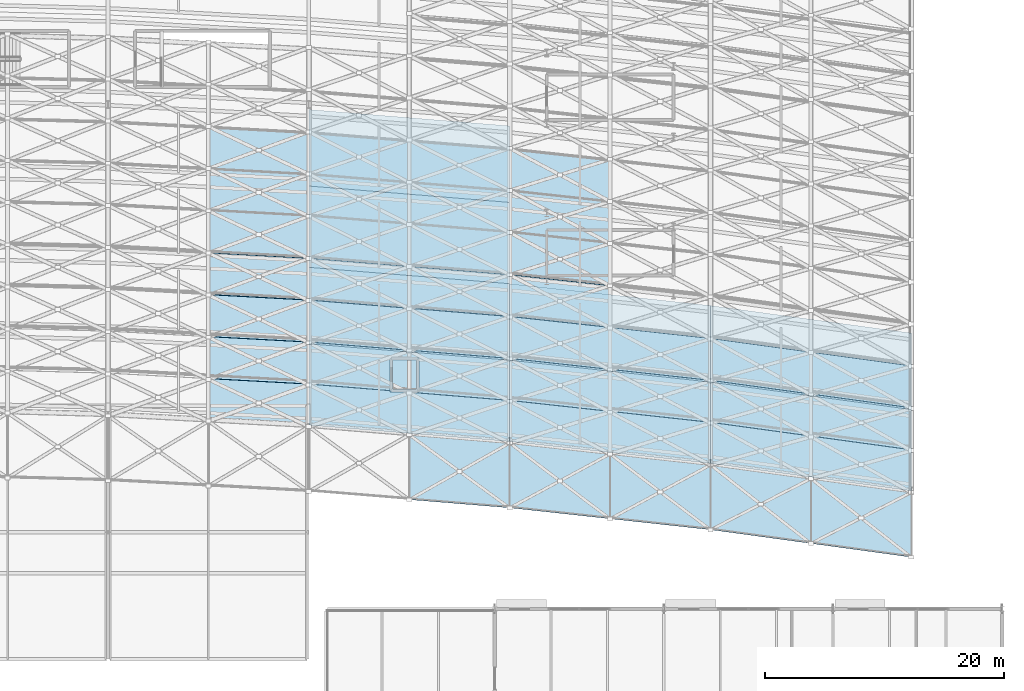
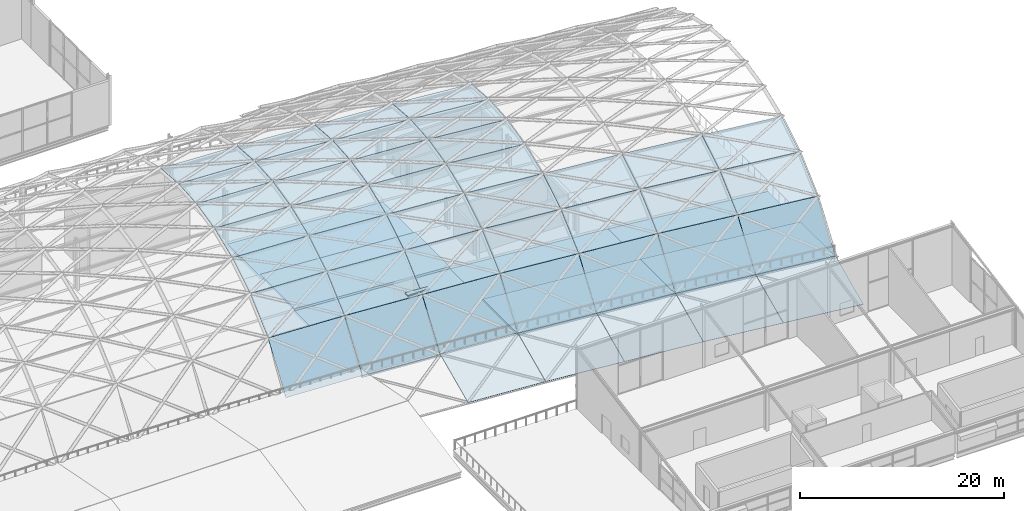
# One storey, part 70 of 100: 42 plates, 9 slabs.
"""IFC4 building model written with IfcOpenShell, lengths in metres."""

import ifcopenshell
import ifcopenshell.guid

model = None  # the IFC model being written
_history = None  # IfcOwnerHistory: only IFC2X3 demands one
_inside = {}  # id of a spatial element -> (the spatial element, [elements in it])
_under = {}  # id of a project, library or spatial element -> (it, [spatial elements below it])
_declared = {}  # id of a project -> (the project, [libraries it declares])
_typed = {}  # id of a type object -> (the type object, [elements of that type])
_made_of = {}  # id of a material, layer set ... -> (it, [elements and type objects made of it])


def new_model(schema):
    """Start an empty IFC model of exactly this schema.

    Asked for "IFC4X3", IfcOpenShell would pick the latest addendum, in which some entities
    have other attributes; the version numbers below select the first issue.
    IFC2X3 requires an IfcOwnerHistory on every rooted entity: one is made here for all.
    """
    global model, _history
    if schema == "IFC4X3":
        model = ifcopenshell.file(schema_version=(4, 3, 0, 0))
    else:
        model = ifcopenshell.file(schema=schema)
    _inside.clear()
    _under.clear()
    _declared.clear()
    _typed.clear()
    _made_of.clear()
    _history = None
    if model.schema == "IFC2X3":
        org = make("IfcOrganization", Name="unknown")
        user = make(
            "IfcPersonAndOrganization",
            ThePerson=make("IfcPerson", FamilyName="unknown"),
            TheOrganization=org,
        )
        app = make(
            "IfcApplication",
            ApplicationDeveloper=org,
            Version="unknown",
            ApplicationFullName="unknown",
            ApplicationIdentifier="unknown",
        )
        _history = make(
            "IfcOwnerHistory",
            OwningUser=user,
            OwningApplication=app,
            ChangeAction="ADDED",
            CreationDate=0,
        )
    return model


def make(cls, **values):
    """One entity of the class cls with the attributes given. An attribute that is None is left unset."""
    return model.create_entity(
        cls, **{name: value for name, value in values.items() if value is not None}
    )


def rooted(cls, **values):
    """An entity with a GlobalId (a new one), such as an element, a storey or a relation."""
    return make(cls, GlobalId=ifcopenshell.guid.new(), OwnerHistory=_history, **values)


def si_unit(unit_type, name, prefix=None):
    """IfcSIUnit, for example si_unit("LENGTHUNIT", "METRE", prefix="MILLI")."""
    return make("IfcSIUnit", UnitType=unit_type, Prefix=prefix, Name=name)


def assignment(units):
    """IfcUnitAssignment: the units of a project."""
    return None if units is None else make("IfcUnitAssignment", Units=units)


def point(xyz):
    """IfcCartesianPoint."""
    return None if xyz is None else make("IfcCartesianPoint", Coordinates=xyz)


def direction(xyz):
    """IfcDirection."""
    return None if xyz is None else make("IfcDirection", DirectionRatios=xyz)


def frame(location, z_axis=None, x_axis=None):
    """IfcAxis2Placement3D, a coordinate frame: its origin and axes. An axis left out is left unset."""
    return make(
        "IfcAxis2Placement3D",
        Location=point(location),
        Axis=direction(z_axis),
        RefDirection=direction(x_axis),
    )


def origin():
    """The frame at (0, 0, 0) with its axes left unset."""
    return frame((0.0, 0.0, 0.0))


def place(relative_to, where):
    """IfcLocalPlacement: puts the frame where relative to a parent placement (None: the world)."""
    return make(
        "IfcLocalPlacement", PlacementRelTo=relative_to, RelativePlacement=where
    )


def context(
    kind, dimensions, precision=None, world=None, true_north=None, identifier=None
):
    """IfcGeometricRepresentationContext, for example the 3D "Model" context."""
    return make(
        "IfcGeometricRepresentationContext",
        ContextIdentifier=identifier,
        ContextType=kind,
        CoordinateSpaceDimension=dimensions,
        Precision=precision,
        WorldCoordinateSystem=world,
        TrueNorth=true_north,
    )


def subcontext(parent, identifier, kind, view, scale=None):
    """IfcGeometricRepresentationSubContext, for example "Body" below "Model"."""
    return make(
        "IfcGeometricRepresentationSubContext",
        ContextIdentifier=identifier,
        ContextType=kind,
        ParentContext=parent,
        TargetScale=scale,
        TargetView=view,
    )


def project(units=None, contexts=None):
    """IfcProject with its units and contexts."""
    return rooted(
        "IfcProject",
        Name="project",
        RepresentationContexts=contexts,
        UnitsInContext=assignment(units),
    )


def spatial(cls, under=None, at=None, **own):
    """A site, building, storey or space (cls), placed at a placement, below another one or the project."""
    s = rooted(cls, ObjectPlacement=at, **own)
    if under is not None:
        _under.setdefault(under.id(), (under, []))[1].append(s)
    return s


def polyline(points):
    """IfcPolyline through the points."""
    return make("IfcPolyline", Points=[point(p) for p in points])


def outline(outer, holes=None, kind="AREA"):
    """IfcArbitraryClosedProfileDef: a profile drawn as a closed curve; with holes, ...WithVoids."""
    if holes is None:
        return make("IfcArbitraryClosedProfileDef", ProfileType=kind, OuterCurve=outer)
    return make(
        "IfcArbitraryProfileDefWithVoids",
        ProfileType=kind,
        OuterCurve=outer,
        InnerCurves=holes,
    )


def extrude(swept, where, along, depth):
    """IfcExtrudedAreaSolid: the profile swept, set in the frame where, extruded along a direction by depth."""
    return make(
        "IfcExtrudedAreaSolid",
        SweptArea=swept,
        Position=where,
        ExtrudedDirection=direction(along),
        Depth=depth,
    )


def shape(context_of_items, identifier, shape_type, items):
    """IfcShapeRepresentation: the items that make up one representation, for example the "Body"."""
    return make(
        "IfcShapeRepresentation",
        ContextOfItems=context_of_items,
        RepresentationIdentifier=identifier,
        RepresentationType=shape_type,
        Items=items,
    )


def material(Name=None, Category=None):
    """IfcMaterial."""
    return make("IfcMaterial", Name=Name, Category=Category)


def layer(
    of_material, thickness, ventilated=None, Name=None, Category=None, Priority=None
):
    """IfcMaterialLayer: one layer of a wall or slab, of a material (None: an air gap)."""
    return make(
        "IfcMaterialLayer",
        Material=of_material,
        LayerThickness=thickness,
        IsVentilated=ventilated,
        Name=Name,
        Category=Category,
        Priority=Priority,
    )


def layer_set(layers, Name=None):
    """IfcMaterialLayerSet."""
    return make("IfcMaterialLayerSet", MaterialLayers=layers, LayerSetName=Name)


def made_of(thing, what):
    """Note that an element or type object is made of a material, layer set ...; save() writes the relation."""
    if what is not None:
        _made_of.setdefault(what.id(), (what, []))[1].append(thing)
    return thing


def type_object(cls, material=None, **own):
    """A type object (cls), such as IfcWallType, which elements share."""
    return made_of(rooted(cls, **own), material)


def element(
    cls,
    number,
    at=None,
    inside=None,
    cuts=None,
    type_object=None,
    material=None,
    context=None,
    identifier="Body",
    shape_type=None,
    held_by="IfcProductDefinitionShape",
    body=None,
    shapes=None,
    **own,
):
    """One element of the class cls, such as IfcWall. Its Tag is "e" and its number.

    at: its placement. inside: the storey or other place that contains it. cuts: it is an
    opening in that element (IfcRelVoidsElement). A single representation is given by context,
    identifier, shape_type and body (its items); several are given by shapes. held_by: the class
    of the entity that holds the representations. save() writes the other relations.
    """
    e = rooted(cls, Tag="e%d" % number, ObjectPlacement=at, **own)
    if body is not None:
        shapes = [shape(context, identifier, shape_type, body)]
    if shapes is not None:
        e.Representation = make(held_by, Representations=shapes)
    if inside is not None:
        _inside.setdefault(inside.id(), (inside, []))[1].append(e)
    if cuts is not None:
        rooted(
            "IfcRelVoidsElement", RelatingBuildingElement=cuts, RelatedOpeningElement=e
        )
    if type_object is not None:
        _typed.setdefault(type_object.id(), (type_object, []))[1].append(e)
    return made_of(e, material)


def aggregate(whole, parts):
    """IfcRelAggregates: a whole, such as a stair, and the parts it consists of."""
    return rooted("IfcRelAggregates", RelatingObject=whole, RelatedObjects=parts)


def save(model, path):
    """Write the relations noted so far, then the file.

    IfcRelAggregates (storeys below a building ...), IfcRelContainedInSpatialStructure (elements
    in a storey), IfcRelDefinesByType, IfcRelAssociatesMaterial and IfcRelDeclares: one each for
    every whole, place, type object, material and project.
    """
    for whole, parts in _under.values():
        aggregate(whole, parts)
    for where, things in _inside.values():
        rooted(
            "IfcRelContainedInSpatialStructure",
            RelatedElements=things,
            RelatingStructure=where,
        )
    for kind, things in _typed.values():
        rooted("IfcRelDefinesByType", RelatedObjects=things, RelatingType=kind)
    for what, things in _made_of.values():
        rooted("IfcRelAssociatesMaterial", RelatedObjects=things, RelatingMaterial=what)
    for by, libraries in _declared.values():
        rooted("IfcRelDeclares", RelatingContext=by, RelatedDefinitions=libraries)
    model.write(path)


model = new_model("IFC4")

# Units and contexts
model_context = context("Model", 3, precision=1e-05, world=origin(), true_north=direction((0.0, 1.0)))
body_context = subcontext(model_context, "Body", "Model", "MODEL_VIEW")
ifc_project = project(units=[si_unit("LENGTHUNIT", "METRE"), si_unit("AREAUNIT", "SQUARE_METRE"), si_unit("VOLUMEUNIT", "CUBIC_METRE"), si_unit("PLANEANGLEUNIT", "RADIAN"), si_unit("MASSUNIT", "GRAM", prefix="KILO")], contexts=[model_context])

# Site, building, storey
site_placement = place(None, origin())
site = spatial("IfcSite", under=ifc_project, at=site_placement, CompositionType="ELEMENT")
building_placement = place(site_placement, origin())
building = spatial("IfcBuilding", under=site, at=building_placement, Name="Kimbaza Rail Terminus", CompositionType="ELEMENT")
storey_placement = place(building_placement, frame((0.0, 0.0, 10.800048828125)))
storey = spatial("IfcBuildingStorey", under=building, at=storey_placement, Name="L02", CompositionType="ELEMENT", Elevation=10.800048828125)

# Plates
ifc_material_1 = material(Name="Insulated pearl-white aluminium cassette", Category="aluminium")
ifc_layer_1 = layer(ifc_material_1, 0.054931640625)
ifc_layer_set_1 = layer_set([ifc_layer_1], Name="Insulated pearl-white aluminium cassette")
plate_type_1 = type_object("IfcPlateType", Name="ARC-PL-VAL-01", PredefinedType="SHEET", material=ifc_layer_set_1)
plate_1_placement = place(storey_placement, frame((164.405029296875, 47.145263671875, -2.39990234375), z_axis=(-0.033780937756, -0.413566770926, 0.909846896038), x_axis=(0.996680630795, -0.081410811309, 0.0)))
element("IfcPlate", 1, at=plate_1_placement, inside=storey, type_object=plate_type_1, Name="Vault Insulated Aluminium Cassette VR-17-VA00", PredefinedType="SHEET", context=body_context, shape_type="SweptSolid", body=[
    extrude(outline(polyline([(0.0, 0.0), (8.417834478666043, 0.0), (7.970075016465285, 6.0249075896655615), (-0.44775946220075735, 6.0249075896655615), (0.0, 0.0)])), origin(), (0.0, 0.0, -1.0), 0.054931640625),
])
plate_2_placement = place(storey_placement, frame((172.804931640625, 46.4599609375, -2.39990234375), z_axis=(-0.045120004332, -0.413381516627, 0.90943933658), x_axis=(0.994095994634, -0.108504163297, 0.0)))
element("IfcPlate", 2, at=plate_2_placement, inside=storey, type_object=plate_type_1, Name="Vault Insulated Aluminium Cassette VR-18-VA00", PredefinedType="SHEET", context=body_context, shape_type="SweptSolid", body=[
    extrude(outline(polyline([(0.0, 0.0), (8.43996632522378, 0.0), (7.843193427089148, 6.011976555846837), (-0.5967728981346325, 6.011976555846837), (0.0, 0.0)])), origin(), (0.0, 0.0, -1.0), 0.054931640625),
])
plate_3_placement = place(storey_placement, frame((181.205078125, 45.544189453125, -2.39990234375), z_axis=(-0.045133319265, -0.413381267737, 0.909438789021), x_axis=(0.994092533341, -0.108535870365, 0.0)))
element("IfcPlate", 3, at=plate_3_placement, inside=storey, type_object=plate_type_1, Name="Vault Insulated Aluminium Cassette VR-19-VA00", PredefinedType="SHEET", context=body_context, shape_type="SweptSolid", body=[
    extrude(outline(polyline([(0.0, 0.0), (8.43975012057354, 0.0), (7.842802833565757, 6.0119592427539), (-0.5969472870077849, 6.0119592427539), (0.0, 0.0)])), origin(), (0.0, 0.0, -1.0), 0.054931640625),
])
plate_4_placement = place(storey_placement, frame((189.60498046875, 44.628173828125, -2.39990234375), z_axis=(-0.056574455455, -0.413140190432, 0.908908418951), x_axis=(0.990753872834, -0.135671527834, 0.0)))
element("IfcPlate", 4, at=plate_4_placement, inside=storey, type_object=plate_type_1, Name="Vault Insulated Aluminium Cassette VR-20-VA00", PredefinedType="SHEET", context=body_context, shape_type="SweptSolid", body=[
    extrude(outline(polyline([(0.0, 0.0), (8.468436963816755, 0.0), (7.722243560727767, 5.995264414951728), (-0.7461934030889878, 5.995264414951728), (0.0, 0.0)])), origin(), (0.0, 0.0, -1.0), 0.054931640625),
])
plate_5_placement = place(storey_placement, frame((198.0048828125, 43.479248046875, -2.39990234375), z_axis=(-0.056562472149, -0.41314047139, 0.908909037057), x_axis=(0.990757747619, -0.135643228847, 0.0)))
element("IfcPlate", 5, at=plate_5_placement, inside=storey, type_object=plate_type_1, Name="Vault Insulated Aluminium Cassette VR-21-VA00", PredefinedType="SHEET", context=body_context, shape_type="SweptSolid", body=[
    extrude(outline(polyline([(0.0, 0.0), (8.468403844339614, 2.220446049250313e-16), (7.722366085682136, 5.995283784997782), (-0.7460377586574786, 5.995283784997782), (0.0, 0.0)])), origin(), (0.0, 0.0, -1.0), 0.054931640625),
])
ifc_material_2 = material(Name="Laminated solar-control low-E glass", Category="glass")
ifc_layer_2 = layer(ifc_material_2, 0.028076171875)
ifc_layer_set_2 = layer_set([ifc_layer_2], Name="Laminated solar-control low-E glass")
plate_type_2 = type_object("IfcPlateType", Name="ARC-PL-VGL-02", PredefinedType="SHEET", material=ifc_layer_set_2)
plate_6_placement = place(storey_placement, frame((147.60498046875, 53.76416015625, 0.048095703125), z_axis=(-0.044621724118, -0.820915509127, 0.569303634813), x_axis=(0.998525975476, -0.054275927434, 0.0)))
element("IfcPlate", 6, at=plate_6_placement, inside=storey, type_object=plate_type_2, Name="Vault Solar Glass Cassette VR-15-VA01", PredefinedType="SHEET", context=body_context, shape_type="SweptSolid", body=[
    extrude(outline(polyline([(0.0, 0.0), (8.40252224259524, 5.551115123125783e-17), (8.212556496576935, 6.138799579800982), (-0.18996574601830432, 6.138799579800982), (0.0, 0.0)])), origin(), (0.0, 0.0, -1.0), 0.028076171875),
])
plate_7_placement = place(storey_placement, frame((156.0048828125, 53.30810546875, 0.048095703125), z_axis=(-0.066944451658, -0.81989060074, 0.568592862433), x_axis=(0.996683175765, -0.081379648234, 0.0)))
element("IfcPlate", 7, at=plate_7_placement, inside=storey, type_object=plate_type_2, Name="Vault Solar Glass Cassette VR-16-VA01", PredefinedType="SHEET", context=body_context, shape_type="SweptSolid", body=[
    extrude(outline(polyline([(0.0, 0.0), (8.418057937326623, 5.551115123125783e-17), (8.1332291685089, 6.135129977276667), (-0.28482876881772273, 6.135129977276667), (0.0, 0.0)])), origin(), (0.0, 0.0, -1.0), 0.028076171875),
])
plate_8_placement = place(storey_placement, frame((164.405029296875, 52.623046875, 0.048095703125), z_axis=(-0.066970142284, -0.819889184035, 0.56859187995), x_axis=(0.996680630795, -0.081410811309, 0.0)))
element("IfcPlate", 8, at=plate_8_placement, inside=storey, type_object=plate_type_2, Name="Vault Solar Glass Cassette VR-17-VA01", PredefinedType="SHEET", context=body_context, shape_type="SweptSolid", body=[
    extrude(outline(polyline([(0.0, 0.0), (8.417834478666043, 0.0), (8.132896639083743, 6.135124912599512), (-0.2849378395823001, 6.135124912599512), (0.0, 0.0)])), origin(), (0.0, 0.0, -1.0), 0.028076171875),
])
plate_9_placement = place(storey_placement, frame((172.804931640625, 51.937744140625, 0.048095703125), z_axis=(-0.089332498532, -0.818448585594, 0.567592827161), x_axis=(0.994095994634, -0.108504163297, 0.0)))
element("IfcPlate", 9, at=plate_9_placement, inside=storey, type_object=plate_type_2, Name="Vault Solar Glass Cassette VR-18-VA01", PredefinedType="SHEET", context=body_context, shape_type="SweptSolid", body=[
    extrude(outline(polyline([(0.0, 0.0), (8.43996632522378, 0.0), (8.06020175368356, 6.129985818566619), (-0.3797645715402207, 6.129985818566619), (0.0, 0.0)])), origin(), (0.0, 0.0, -1.0), 0.028076171875),
])
plate_10_placement = place(storey_placement, frame((181.205078125, 51.02197265625, 0.048095703125), z_axis=(-0.089358703495, -0.818446653945, 0.567591487565), x_axis=(0.994092533341, -0.108535870365, 0.0)))
element("IfcPlate", 10, at=plate_10_placement, inside=storey, type_object=plate_type_2, Name="Vault Solar Glass Cassette VR-19-VA01", PredefinedType="SHEET", context=body_context, shape_type="SweptSolid", body=[
    extrude(outline(polyline([(0.0, 0.0), (8.43975012057354, 0.0), (8.05987457429586, 6.129978942456918), (-0.3798755462776812, 6.129978942456918), (0.0, 0.0)])), origin(), (0.0, 0.0, -1.0), 0.028076171875),
])
plate_11_placement = place(storey_placement, frame((189.60498046875, 50.10595703125, 0.048095703125), z_axis=(-0.111797155631, -0.81658258245, 0.566298756869), x_axis=(0.990757747619, -0.135643228847, 0.0)))
element("IfcPlate", 11, at=plate_11_placement, inside=storey, type_object=plate_type_2, Name="Vault Solar Glass Cassette VR-20-VA01", PredefinedType="SHEET", context=body_context, shape_type="SweptSolid", body=[
    extrude(outline(polyline([(0.0, 0.0), (8.468403844339614, 0.0), (7.993652543375765, 6.123361696638386), (-0.47475130096385004, 6.123361696638386), (0.0, 0.0)])), origin(), (0.0, 0.0, -1.0), 0.028076171875),
])
plate_12_placement = place(storey_placement, frame((198.0048828125, 48.957275390625, 0.048095703125), z_axis=(-0.111820619905, -0.816580413016, 0.56629725237), x_axis=(0.990753872834, -0.135671527834, 0.0)))
element("IfcPlate", 12, at=plate_12_placement, inside=storey, type_object=plate_type_2, Name="Vault Solar Glass Cassette VR-21-VA01", PredefinedType="SHEET", context=body_context, shape_type="SweptSolid", body=[
    extrude(outline(polyline([(0.0, 0.0), (8.468436963816755, 0.0), (7.99358661639649, 6.12335401664642), (-0.47485034742026505, 6.12335401664642), (0.0, 0.0)])), origin(), (0.0, 0.0, -1.0), 0.028076171875),
])
ifc_material_3 = material(Name="Laminated solar-control low-E glass", Category="glass")
ifc_layer_3 = layer(ifc_material_3, 0.030029296875)
ifc_layer_set_3 = layer_set([ifc_layer_3], Name="Laminated solar-control low-E glass")
plate_type_3 = type_object("IfcPlateType", Name="ARC-PL-VGL-03", PredefinedType="SHEET", material=ifc_layer_set_3)
plate_13_placement = place(storey_placement, frame((147.60498046875, 57.275146484375, 5.110107421875), z_axis=(-0.036393483194, -0.669538781296, 0.74188498753), x_axis=(0.998525975476, -0.054275927434, 0.0)))
element("IfcPlate", 13, at=plate_13_placement, inside=storey, type_object=plate_type_3, Name="Vault Solar Glass Cassette VR-15-VA02", PredefinedType="SHEET", context=body_context, shape_type="SweptSolid", body=[
    extrude(outline(polyline([(0.0, 0.0), (8.40252224259524, 0.0), (8.212556496576935, 4.710758369440882), (-0.18996574601830432, 4.710758369440882), (0.0, 0.0)])), origin(), (0.0, 0.0, -1.0), 0.030029296875),
])
plate_14_placement = place(storey_placement, frame((156.0048828125, 56.819091796875, 5.110107421875), z_axis=(-0.054622724628, -0.668982378677, 0.741268463496), x_axis=(0.996683175765, -0.081379648234, 0.0)))
element("IfcPlate", 14, at=plate_14_placement, inside=storey, type_object=plate_type_3, Name="Vault Solar Glass Cassette VR-16-VA02", PredefinedType="SHEET", context=body_context, shape_type="SweptSolid", body=[
    extrude(outline(polyline([(0.0, 0.0), (8.418057937326623, 0.0), (8.1332291685089, 4.705975347616198), (-0.28482876881772273, 4.705975347616198), (0.0, 0.0)])), origin(), (0.0, 0.0, -1.0), 0.030029296875),
])
plate_15_placement = place(storey_placement, frame((164.405029296875, 56.134033203125, 5.110107421875), z_axis=(-0.054643718223, -0.668981609093, 0.741267610755), x_axis=(0.996680630795, -0.081410811309, 0.0)))
element("IfcPlate", 15, at=plate_15_placement, inside=storey, type_object=plate_type_3, Name="Vault Solar Glass Cassette VR-17-VA02", PredefinedType="SHEET", context=body_context, shape_type="SweptSolid", body=[
    extrude(outline(polyline([(0.0, 0.0), (8.417834478666043, 1.1102230246251565e-16), (8.132896639083743, 4.705968744848587), (-0.2849378395823001, 4.705968744848587), (0.0, 0.0)])), origin(), (0.0, 0.0, -1.0), 0.030029296875),
])
plate_16_placement = place(storey_placement, frame((172.804931640625, 55.44873046875, 5.110107421875), z_axis=(-0.072932899678, -0.668198355193, 0.740399723299), x_axis=(0.994095994634, -0.108504163297, 0.0)))
element("IfcPlate", 16, at=plate_16_placement, inside=storey, type_object=plate_type_3, Name="Vault Solar Glass Cassette VR-18-VA02", PredefinedType="SHEET", context=body_context, shape_type="SweptSolid", body=[
    extrude(outline(polyline([(0.0, 0.0), (8.43996632522378, -1.1102230246251565e-16), (8.06020175368356, 4.699266992853298), (-0.3797645715402207, 4.699266992853298), (0.0, 0.0)])), origin(), (0.0, 0.0, -1.0), 0.030029296875),
])
plate_17_placement = place(storey_placement, frame((181.205078125, 54.532958984375, 5.110107421875), z_axis=(-0.072954351367, -0.668197304028, 0.740398558552), x_axis=(0.994092533341, -0.108535870365, 0.0)))
element("IfcPlate", 17, at=plate_17_placement, inside=storey, type_object=plate_type_3, Name="Vault Solar Glass Cassette VR-19-VA02", PredefinedType="SHEET", context=body_context, shape_type="SweptSolid", body=[
    extrude(outline(polyline([(0.0, 0.0), (8.43975012057354, 2.220446049250313e-16), (8.05987457429586, 4.699258023268976), (-0.3798755462776812, 4.699258023268975), (0.0, 0.0)])), origin(), (0.0, 0.0, -1.0), 0.030029296875),
])
plate_18_placement = place(storey_placement, frame((189.60498046875, 53.616943359375, 5.110107421875), z_axis=(-0.091342901813, -0.667181756369, 0.739273277115), x_axis=(0.990757747619, -0.135643228847, 0.0)))
element("IfcPlate", 18, at=plate_18_placement, inside=storey, type_object=plate_type_3, Name="Vault Solar Glass Cassette VR-20-VA02", PredefinedType="SHEET", context=body_context, shape_type="SweptSolid", body=[
    extrude(outline(polyline([(0.0, 0.0), (8.468403844339614, 1.1102230246251565e-16), (7.993652543375765, 4.690622837337355), (-0.47475130096385004, 4.690622837337355), (0.0, 0.0)])), origin(), (0.0, 0.0, -1.0), 0.030029296875),
])
plate_19_placement = place(storey_placement, frame((198.0048828125, 52.46826171875, 5.110107421875), z_axis=(-0.091362153788, -0.667180573112, 0.739271966002), x_axis=(0.990753872834, -0.135671527834, 0.0)))
element("IfcPlate", 19, at=plate_19_placement, inside=storey, type_object=plate_type_3, Name="Vault Solar Glass Cassette VR-21-VA02", PredefinedType="SHEET", context=body_context, shape_type="SweptSolid", body=[
    extrude(outline(polyline([(0.0, 0.0), (8.468436963816755, -1.1102230246251565e-16), (7.99358661639649, 4.6906128115068775), (-0.474850347420265, 4.6906128115068775), (0.0, 0.0)])), origin(), (0.0, 0.0, -1.0), 0.030029296875),
])
ifc_material_4 = material(Name="Laminated solar-control low-E glass", Category="glass")
ifc_layer_4 = layer(ifc_material_4, 0.031982421875)
ifc_layer_set_4 = layer_set([ifc_layer_4], Name="Laminated solar-control low-E glass")
plate_type_4 = type_object("IfcPlateType", Name="ARC-PL-VGL-04", PredefinedType="SHEET", material=ifc_layer_set_4)
plate_20_placement = place(storey_placement, frame((147.60498046875, 60.78662109375, 8.27978515625), z_axis=(-0.028276316888, -0.520205517225, 0.85357288485), x_axis=(0.998525975476, -0.054275927434, 0.0)))
element("IfcPlate", 20, at=plate_20_placement, inside=storey, type_object=plate_type_4, Name="Vault Solar Glass Cassette VR-15-VA03", PredefinedType="SHEET", context=body_context, shape_type="SweptSolid", body=[
    extrude(outline(polyline([(0.0, 0.0), (8.40252224259524, 0.0), (8.212556496576935, 4.094367307344827), (-0.18996574601830432, 4.094367307344826), (0.0, 0.0)])), origin(), (0.0, 0.0, -1.0), 0.031982421875),
])
plate_21_placement = place(storey_placement, frame((156.0048828125, 60.33056640625, 8.27978515625), z_axis=(-0.042453705523, -0.519944420527, 0.853144467514), x_axis=(0.996683175765, -0.081379648234, 0.0)))
element("IfcPlate", 21, at=plate_21_placement, inside=storey, type_object=plate_type_4, Name="Vault Solar Glass Cassette VR-16-VA03", PredefinedType="SHEET", context=body_context, shape_type="SweptSolid", body=[
    extrude(outline(polyline([(0.0, 0.0), (8.418057937326623, 1.1102230246251565e-16), (8.1332291685089, 4.088863314488293), (-0.28482876881772273, 4.088863314488293), (0.0, 0.0)])), origin(), (0.0, 0.0, -1.0), 0.031982421875),
])
plate_22_placement = place(storey_placement, frame((164.405029296875, 59.6455078125, 8.27978515625), z_axis=(-0.042454938672, -0.519944393257, 0.853144422769), x_axis=(0.996682983687, -0.081382000647, 0.0)))
element("IfcPlate", 22, at=plate_22_placement, inside=storey, type_object=plate_type_4, Name="Vault Solar Glass Cassette VR-17-VA03", PredefinedType="SHEET", context=body_context, shape_type="SweptSolid", body=[
    extrude(outline(polyline([(0.0, 0.0), (8.417814606496611, 0.0), (8.132977604233039, 4.088862740941044), (-0.2848370022635715, 4.088862740941044), (0.0, 0.0)])), origin(), (0.0, 0.0, -1.0), 0.031982421875),
])
plate_23_placement = place(storey_placement, frame((172.804931640625, 58.96044921875, 8.27978515625), z_axis=(-0.056726059277, -0.519575627167, 0.852539337423), x_axis=(0.994092874093, -0.108532749334, 0.0)))
element("IfcPlate", 23, at=plate_23_placement, inside=storey, type_object=plate_type_4, Name="Vault Solar Glass Cassette VR-18-VA03", PredefinedType="SHEET", context=body_context, shape_type="SweptSolid", body=[
    extrude(outline(polyline([(0.0, 0.0), (8.439992818987536, 0.0), (8.060128196320168, 4.08113139957049), (-0.37986462266736853, 4.0811313995704905), (0.0, 0.0)])), origin(), (0.0, 0.0, -1.0), 0.031982421875),
])
plate_24_placement = place(storey_placement, frame((181.205078125, 58.04443359375, 8.27978515625), z_axis=(-0.056727704658, -0.519575578514, 0.852539257592), x_axis=(0.994092533341, -0.108535870365, 0.0)))
element("IfcPlate", 24, at=plate_24_placement, inside=storey, type_object=plate_type_4, Name="Vault Solar Glass Cassette VR-19-VA03", PredefinedType="SHEET", context=body_context, shape_type="SweptSolid", body=[
    extrude(outline(polyline([(0.0, 0.0), (8.43975012057354, 0.0), (8.05987457429586, 4.0811303828050685), (-0.3798755462776813, 4.0811303828050685), (0.0, 0.0)])), origin(), (0.0, 0.0, -1.0), 0.031982421875),
])
for number, where, z_axis, x_axis, name in (
    (25, (189.60498046875, 57.12841796875, 8.27978515625), (-0.071068924107, -0.519097693062, 0.85175512507), (0.990757747619, -0.135643228847, 0.0), "Vault Solar Glass Cassette VR-20-VA03"),
    (26, (198.0048828125, 55.979736328125, 8.27978515625), (-0.071068924107, -0.519097693062, 0.85175512507), (0.990757747619, -0.135643228847, 0.0), "Vault Solar Glass Cassette VR-21-VA03"),
):
    element("IfcPlate", number, at=place(storey_placement, frame(where, z_axis=z_axis, x_axis=x_axis)), inside=storey, type_object=plate_type_4, Name=name, PredefinedType="SHEET", context=body_context, shape_type="SweptSolid", body=[
        extrude(outline(polyline([(0.0, 0.0), (8.468403844339614, 0.0), (7.993652543375765, 4.071184328220419), (-0.47475130096385, 4.071184328220419), (0.0, 0.0)])), origin(), (0.0, 0.0, -1.0), 0.031982421875),
    ])
ifc_material_5 = material(Name="Laminated solar-control low-E glass", Category="glass")
ifc_layer_5 = layer(ifc_material_5, 0.033935546875)
ifc_layer_set_5 = layer_set([ifc_layer_5], Name="Laminated solar-control low-E glass")
plate_type_5 = type_object("IfcPlateType", Name="ARC-PL-VGL-05", PredefinedType="SHEET", material=ifc_layer_set_5)
plate_25_placement = place(storey_placement, frame((147.60498046875, 64.298828125, 10.421142578125), z_axis=(-0.020191102791, -0.37146008485, 0.928229349208), x_axis=(0.998525975476, -0.054275927434, 0.0)))
element("IfcPlate", 27, at=plate_25_placement, inside=storey, type_object=plate_type_5, Name="Vault Solar Glass Cassette VR-15-VA04", PredefinedType="SHEET", context=body_context, shape_type="SweptSolid", body=[
    extrude(outline(polyline([(0.0, 0.0), (8.40252224259524, 5.551115123125783e-17), (8.212556496576935, 3.765061853677455), (-0.18996574601830432, 3.7650618536774543), (0.0, 0.0)])), origin(), (0.0, 0.0, -1.0), 0.033935546875),
])
plate_26_placement = place(storey_placement, frame((156.0048828125, 63.8427734375, 10.421142578125), z_axis=(-0.030322125123, -0.371364986444, 0.927991710939), x_axis=(0.996683175765, -0.081379648234, 0.0)))
element("IfcPlate", 28, at=plate_26_placement, inside=storey, type_object=plate_type_5, Name="Vault Solar Glass Cassette VR-16-VA04", PredefinedType="SHEET", context=body_context, shape_type="SweptSolid", body=[
    extrude(outline(polyline([(0.0, 0.0), (8.418057937326623, 0.0), (8.1332291685089, 3.7590757267087853), (-0.28482876881772273, 3.7590757267087853), (0.0, 0.0)])), origin(), (0.0, 0.0, -1.0), 0.033935546875),
])
plate_27_placement = place(storey_placement, frame((164.405029296875, 63.15771484375, 10.421142578125), z_axis=(-0.030333803213, -0.371364854795, 0.927991381967), x_axis=(0.996680630795, -0.081410811309, 0.0)))
element("IfcPlate", 29, at=plate_27_placement, inside=storey, type_object=plate_type_5, Name="Vault Solar Glass Cassette VR-17-VA04", PredefinedType="SHEET", context=body_context, shape_type="SweptSolid", body=[
    extrude(outline(polyline([(0.0, 0.0), (8.417834478666043, 1.1102230246251565e-16), (8.132896639083743, 3.7590674607210186), (-0.2849378395823001, 3.7590674607210186), (0.0, 0.0)])), origin(), (0.0, 0.0, -1.0), 0.033935546875),
])
plate_28_placement = place(storey_placement, frame((172.804931640625, 62.472412109375, 10.421142578125), z_axis=(-0.04051930321, -0.371230704913, 0.927656159252), x_axis=(0.994095994634, -0.108504163297, 0.0)))
element("IfcPlate", 30, at=plate_28_placement, inside=storey, type_object=plate_type_5, Name="Vault Solar Glass Cassette VR-18-VA04", PredefinedType="SHEET", context=body_context, shape_type="SweptSolid", body=[
    extrude(outline(polyline([(0.0, 0.0), (8.43996632522378, 0.0), (8.06020175368356, 3.750674154986043), (-0.3797645715402207, 3.7506741549860436), (0.0, 0.0)])), origin(), (0.0, 0.0, -1.0), 0.033935546875),
])
ifc_material_6 = material(Name="Laminated solar-control low-E glass", Category="glass")
ifc_layer_6 = layer(ifc_material_6, 0.035888671875)
ifc_layer_set_6 = layer_set([ifc_layer_6], Name="Laminated solar-control low-E glass")
plate_type_6 = type_object("IfcPlateType", Name="ARC-PL-VGL-06", PredefinedType="SHEET", material=ifc_layer_set_6)
plate_29_placement = place(storey_placement, frame((147.60498046875, 67.8115234375, 11.827880859375), z_axis=(-0.012111690054, -0.22282138136, 0.974784047353), x_axis=(0.998525975476, -0.054275927434, 0.0)))
element("IfcPlate", 31, at=plate_29_placement, inside=storey, type_object=plate_type_6, Name="Vault Solar Glass Cassette VR-15-VA05", PredefinedType="SHEET", context=body_context, shape_type="SweptSolid", body=[
    extrude(outline(polyline([(0.0, 0.0), (8.40252224259524, 0.0), (8.212556496576935, 3.585246315488504), (-0.18996574601830432, 3.585246315488504), (0.0, 0.0)])), origin(), (0.0, 0.0, -1.0), 0.035888671875),
])
plate_30_placement = place(storey_placement, frame((156.0048828125, 67.35546875, 11.827880859375), z_axis=(-0.018191793795, -0.222800850169, 0.974694228875), x_axis=(0.996683175765, -0.081379648234, 0.0)))
element("IfcPlate", 32, at=plate_30_placement, inside=storey, type_object=plate_type_6, Name="Vault Solar Glass Cassette VR-16-VA05", PredefinedType="SHEET", context=body_context, shape_type="SweptSolid", body=[
    extrude(outline(polyline([(0.0, 0.0), (8.418057937326623, 1.1102230246251565e-16), (8.1332291685089, 3.5789594437263417), (-0.28482876881772273, 3.5789594437263412), (0.0, 0.0)])), origin(), (0.0, 0.0, -1.0), 0.035888671875),
])
plate_31_placement = place(storey_placement, frame((164.405029296875, 66.67041015625, 11.827880859375), z_axis=(-0.018198804208, -0.22280082174, 0.974694104505), x_axis=(0.996680630795, -0.081410811309, 0.0)))
element("IfcPlate", 33, at=plate_31_placement, inside=storey, type_object=plate_type_6, Name="Vault Solar Glass Cassette VR-17-VA05", PredefinedType="SHEET", context=body_context, shape_type="SweptSolid", body=[
    extrude(outline(polyline([(0.0, 0.0), (8.417834478666043, 1.1102230246251565e-16), (8.132896639083743, 3.578950761739865), (-0.2849378395823001, 3.578950761739865), (0.0, 0.0)])), origin(), (0.0, 0.0, -1.0), 0.035888671875),
])
plate_32_placement = place(storey_placement, frame((172.804931640625, 65.985107421875, 11.827880859375), z_axis=(-0.024315229609, -0.222771842373, 0.974567327512), x_axis=(0.994095994634, -0.108504163297, 0.0)))
element("IfcPlate", 34, at=plate_32_placement, inside=storey, type_object=plate_type_6, Name="Vault Solar Glass Cassette VR-18-VA05", PredefinedType="SHEET", context=body_context, shape_type="SweptSolid", body=[
    extrude(outline(polyline([(0.0, 0.0), (8.43996632522378, 1.1102230246251565e-16), (8.06020175368356, 3.570134030759497), (-0.3797645715402207, 3.570134030759497), (0.0, 0.0)])), origin(), (0.0, 0.0, -1.0), 0.035888671875),
])
ifc_material_7 = material(Name="Laminated solar-control low-E glass", Category="glass")
ifc_layer_7 = layer(ifc_material_7, 0.0380859375)
ifc_layer_set_7 = layer_set([ifc_layer_7], Name="Laminated solar-control low-E glass")
plate_type_7 = type_object("IfcPlateType", Name="ARC-PL-VGL-07", PredefinedType="SHEET", material=ifc_layer_set_7)
plate_33_placement = place(storey_placement, frame((147.60498046875, 71.324951171875, 12.632080078125), z_axis=(-0.004034420898, -0.074222113807, 0.997233574079), x_axis=(0.998525975476, -0.054275927434, 0.0)))
element("IfcPlate", 35, at=plate_33_placement, inside=storey, type_object=plate_type_7, Name="Vault Solar Glass Cassette VR-15-VA06", PredefinedType="SHEET", context=body_context, shape_type="SweptSolid", body=[
    extrude(outline(polyline([(0.0, 0.0), (8.40252224259524, 0.0), (8.212556496576935, 3.504535953270475), (-0.18996574601830432, 3.5045359532704756), (0.0, 0.0)])), origin(), (0.0, 0.0, -1.0), 0.0380859375),
])
plate_34_placement = place(storey_placement, frame((156.0048828125, 70.868896484375, 12.632080078125), z_axis=(-0.006060208398, -0.074221354886, 0.99722337736), x_axis=(0.996683175765, -0.081379648234, 0.0)))
element("IfcPlate", 36, at=plate_34_placement, inside=storey, type_object=plate_type_7, Name="Vault Solar Glass Cassette VR-16-VA06", PredefinedType="SHEET", context=body_context, shape_type="SweptSolid", body=[
    extrude(outline(polyline([(0.0, 0.0), (8.418057937326623, 0.0), (8.1332291685089, 3.4981040300253325), (-0.28482876881772273, 3.4981040300253325), (0.0, 0.0)])), origin(), (0.0, 0.0, -1.0), 0.0380859375),
])
plate_35_placement = place(storey_placement, frame((164.405029296875, 70.183837890625, 12.632080078125), z_axis=(-0.006062544456, -0.074221353835, 0.997223363239), x_axis=(0.996680630795, -0.081410811309, 0.0)))
element("IfcPlate", 37, at=plate_35_placement, inside=storey, type_object=plate_type_7, Name="Vault Solar Glass Cassette VR-17-VA06", PredefinedType="SHEET", context=body_context, shape_type="SweptSolid", body=[
    extrude(outline(polyline([(0.0, 0.0), (8.417834478666043, 1.1102230246251565e-16), (8.132896639083743, 3.498095147362327), (-0.2849378395823001, 3.498095147362327), (0.0, 0.0)])), origin(), (0.0, 0.0, -1.0), 0.0380859375),
])
plate_36_placement = place(storey_placement, frame((172.804931640625, 69.49853515625, 12.632080078125), z_axis=(-0.008103197764, -0.074220281016, 0.997208949053), x_axis=(0.994092874093, -0.108532749334, 0.0)))
element("IfcPlate", 38, at=plate_36_placement, inside=storey, type_object=plate_type_7, Name="Vault Solar Glass Cassette VR-18-VA06", PredefinedType="SHEET", context=body_context, shape_type="SweptSolid", body=[
    extrude(outline(polyline([(0.0, 0.0), (8.439992818987536, 1.1102230246251565e-16), (8.060128196320168, 3.4890632125072583), (-0.37986462266736853, 3.4890632125072583), (0.0, 0.0)])), origin(), (0.0, 0.0, -1.0), 0.0380859375),
])
ifc_material_8 = material(Name="Laminated solar-control low-E glass", Category="glass")
ifc_layer_8 = layer(ifc_material_8, 0.0400390625)
ifc_layer_set_8 = layer_set([ifc_layer_8], Name="Laminated solar-control low-E glass")
plate_type_8 = type_object("IfcPlateType", Name="ARC-PL-VGL-08", PredefinedType="SHEET", material=ifc_layer_set_8)
plate_37_placement = place(storey_placement, frame((147.60498046875, 74.8388671875, 12.894775390625), z_axis=(0.004038181066, 0.074291290423, 0.997228407769), x_axis=(0.998525975476, -0.054275927434, 0.0)))
element("IfcPlate", 39, at=plate_37_placement, inside=storey, type_object=plate_type_8, Name="Vault Solar Glass Cassette VR-15-VA07", PredefinedType="SHEET", context=body_context, shape_type="SweptSolid", body=[
    extrude(outline(polyline([(0.0, 0.0), (8.40252224259524, 5.551115123125783e-17), (8.212556496576935, 3.504554109110315), (-0.18996574601830432, 3.504554109110315), (0.0, 0.0)])), origin(), (0.0, 0.0, -1.0), 0.0400390625),
])
plate_38_placement = place(storey_placement, frame((156.0048828125, 74.3828125, 12.894775390625), z_axis=(0.006065856528, 0.074290529377, 0.997218192087), x_axis=(0.996683175765, -0.081379648234, 0.0)))
element("IfcPlate", 40, at=plate_38_placement, inside=storey, type_object=plate_type_8, Name="Vault Solar Glass Cassette VR-16-VA07", PredefinedType="SHEET", context=body_context, shape_type="SweptSolid", body=[
    extrude(outline(polyline([(0.0, 0.0), (8.418057937326623, 0.0), (8.1332291685089, 3.498122219247931), (-0.28482876881772273, 3.498122219247931), (0.0, 0.0)])), origin(), (0.0, 0.0, -1.0), 0.0400390625),
])
plate_39_placement = place(storey_placement, frame((164.405029296875, 73.69775390625, 12.894775390625), z_axis=(0.006068194762, 0.074290528323, 0.99721817794), x_axis=(0.996680630795, -0.081410811309, 0.0)))
element("IfcPlate", 41, at=plate_39_placement, inside=storey, type_object=plate_type_8, Name="Vault Solar Glass Cassette VR-17-VA07", PredefinedType="SHEET", context=body_context, shape_type="SweptSolid", body=[
    extrude(outline(polyline([(0.0, 0.0), (8.417834478666043, 1.1102230246251565e-16), (8.132896639083743, 3.498113336631113), (-0.2849378395823001, 3.498113336631113), (0.0, 0.0)])), origin(), (0.0, 0.0, -1.0), 0.0400390625),
])
plate_40_placement = place(storey_placement, frame((172.804931640625, 73.012451171875, 12.894775390625), z_axis=(0.008110749746, 0.074289452502, 0.997203736949), x_axis=(0.994092874093, -0.108532749334, 0.0)))
element("IfcPlate", 42, at=plate_40_placement, inside=storey, type_object=plate_type_8, Name="Vault Solar Glass Cassette VR-18-VA07", PredefinedType="SHEET", context=body_context, shape_type="SweptSolid", body=[
    extrude(outline(polyline([(0.0, 0.0), (8.439992818987536, 0.0), (8.060128196320168, 3.4890814488612993), (-0.37986462266736853, 3.4890814488612993), (0.0, 0.0)])), origin(), (0.0, 0.0, -1.0), 0.0400390625),
])

# Slabs
ifc_material_9 = material(Name="Concrete C40/50", Category="concrete")
ifc_layer_9 = layer(ifc_material_9, 0.155029296875)
ifc_layer_set_9 = layer_set([ifc_layer_9], Name="Concrete C40/50")
slab_type_1 = type_object("IfcSlabType", Name="STR-SL-OVR155", PredefinedType="ROOF", material=ifc_layer_set_9)
slab_1_placement = place(storey_placement, frame((0.0, 0.0, 5.369873046875)))
element("IfcSlab", 43, at=slab_1_placement, inside=storey, type_object=slab_type_1, Name="Lift Shaft Overrun Cap Slab LP-06", PredefinedType="ROOF", context=body_context, shape_type="SweptSolid", body=[
    extrude(outline(polyline([(162.800048828125, 56.14990234375), (165.199951171875, 56.14990234375), (165.199951171875, 59.050048828125), (162.800048828125, 59.050048828125), (162.800048828125, 56.14990234375)])), origin(), (0.0, 0.0, 1.0), 0.155029296875),
])
ifc_material_10 = material(Name="Precast concrete C40/50", Category="concrete")
ifc_layer_10 = layer(ifc_material_10, 0.260009765625)
ifc_layer_set_10 = layer_set([ifc_layer_10], Name="Precast concrete C40/50")
slab_type_2 = type_object("IfcSlabType", Name="STR-SL-PLT260", PredefinedType="FLOOR", material=ifc_layer_set_10)
slab_2_placement = place(storey_placement, frame((0.0, 0.0, -0.260009765625)))
element("IfcSlab", 44, at=slab_2_placement, inside=storey, type_object=slab_type_2, Name="Viaduct Platform 1 South Regional Bay 09", PredefinedType="FLOOR", context=body_context, shape_type="SweptSolid", body=[
    extrude(outline(polyline([(156.0, 53.375732421875), (172.800048828125, 52.00537109375), (172.800048828125, 58.805419921875), (156.0, 60.17578125), (156.0, 53.375732421875)]), holes=[polyline([(163.050048828125, 56.39990234375), (164.949951171875, 56.39990234375), (164.949951171875, 58.800048828125), (163.050048828125, 58.800048828125), (163.050048828125, 56.39990234375)])]), origin(), (0.0, 0.0, 1.0), 0.260009765625),
])
slab_3_placement = place(storey_placement, frame((0.0, 0.0, -0.260009765625)))
element("IfcSlab", 45, at=slab_3_placement, inside=storey, type_object=slab_type_2, Name="Viaduct Platform 2-3 South Island Bay 09", PredefinedType="FLOOR", context=body_context, shape_type="SweptSolid", body=[
    extrude(outline(polyline([(156.0, 66.57568359375), (172.800048828125, 65.205322265625), (172.800048828125, 72.00537109375), (156.0, 73.375732421875), (156.0, 66.57568359375)])), origin(), (0.0, 0.0, 1.0), 0.260009765625),
])
slab_4_placement = place(storey_placement, frame((0.0, 0.0, -0.260009765625)))
element("IfcSlab", 46, at=slab_4_placement, inside=storey, type_object=slab_type_2, Name="Viaduct Platform 1 South Regional Bay 10", PredefinedType="FLOOR", context=body_context, shape_type="SweptSolid", body=[
    extrude(outline(polyline([(172.800048828125, 52.00537109375), (189.60009765625, 50.173583984375), (189.60009765625, 56.9736328125), (172.800048828125, 58.805419921875), (172.800048828125, 52.00537109375)])), origin(), (0.0, 0.0, 1.0), 0.260009765625),
])
slab_5_placement = place(storey_placement, frame((0.0, 0.0, -0.260009765625)))
element("IfcSlab", 47, at=slab_5_placement, inside=storey, type_object=slab_type_2, Name="Viaduct Platform 1 South Regional Bay 11", PredefinedType="FLOOR", context=body_context, shape_type="SweptSolid", body=[
    extrude(outline(polyline([(189.60009765625, 50.173583984375), (206.39990234375, 47.8759765625), (206.39990234375, 54.676025390625), (189.60009765625, 56.9736328125), (189.60009765625, 50.173583984375)])), origin(), (0.0, 0.0, 1.0), 0.260009765625),
])
ifc_material_11 = material(Name="Concrete C40/50", Category="concrete")
ifc_layer_11 = layer(ifc_material_11, 0.320068359375)
ifc_layer_set_11 = layer_set([ifc_layer_11], Name="Concrete C40/50")
slab_type_3 = type_object("IfcSlabType", Name="STR-SL-TRK320", PredefinedType="FLOOR", material=ifc_layer_set_11)
slab_6_placement = place(storey_placement, frame((0.0, 0.0, -0.570068359375)))
element("IfcSlab", 48, at=slab_6_placement, inside=storey, type_object=slab_type_3, Name="Viaduct Track Bed 1-2 Bay 09", PredefinedType="FLOOR", context=body_context, shape_type="SweptSolid", body=[
    extrude(outline(polyline([(156.0, 60.17578125), (172.800048828125, 58.805419921875), (172.800048828125, 65.205322265625), (156.0, 66.57568359375), (156.0, 60.17578125)])), origin(), (0.0, 0.0, 1.0), 0.320068359375),
])
slab_7_placement = place(storey_placement, frame((0.0, 0.0, -0.570068359375)))
element("IfcSlab", 49, at=slab_7_placement, inside=storey, type_object=slab_type_3, Name="Viaduct Track Bed 3-4 Bay 09", PredefinedType="FLOOR", context=body_context, shape_type="SweptSolid", body=[
    extrude(outline(polyline([(156.0, 73.375732421875), (172.800048828125, 72.00537109375), (172.800048828125, 78.405517578125), (156.0, 79.77587890625), (156.0, 73.375732421875)])), origin(), (0.0, 0.0, 1.0), 0.320068359375),
])
slab_8_placement = place(storey_placement, frame((0.0, 0.0, -0.570068359375)))
element("IfcSlab", 50, at=slab_8_placement, inside=storey, type_object=slab_type_3, Name="Viaduct Track Bed 1-2 Bay 10", PredefinedType="FLOOR", context=body_context, shape_type="SweptSolid", body=[
    extrude(outline(polyline([(172.800048828125, 58.805419921875), (189.60009765625, 56.9736328125), (189.60009765625, 63.37353515625), (172.800048828125, 65.205322265625), (172.800048828125, 58.805419921875)])), origin(), (0.0, 0.0, 1.0), 0.320068359375),
])
slab_9_placement = place(storey_placement, frame((0.0, 0.0, -0.570068359375)))
element("IfcSlab", 51, at=slab_9_placement, inside=storey, type_object=slab_type_3, Name="Viaduct Track Bed 1-2 Bay 11", PredefinedType="FLOOR", context=body_context, shape_type="SweptSolid", body=[
    extrude(outline(polyline([(189.60009765625, 56.9736328125), (206.39990234375, 54.676025390625), (206.39990234375, 61.075927734375), (189.60009765625, 63.37353515625), (189.60009765625, 56.9736328125)])), origin(), (0.0, 0.0, 1.0), 0.320068359375),
])

save(model, "model.ifc")
